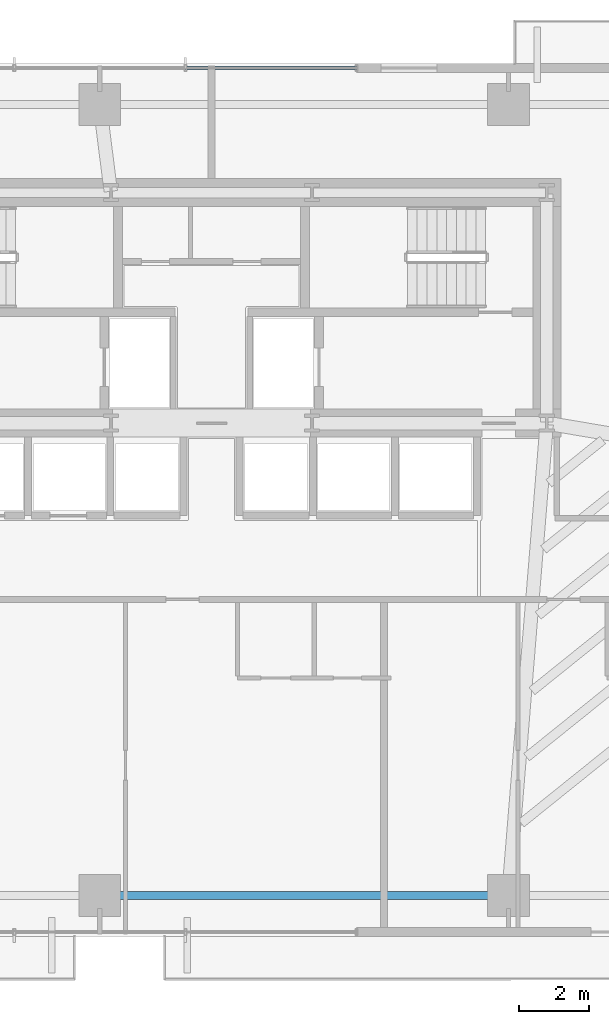
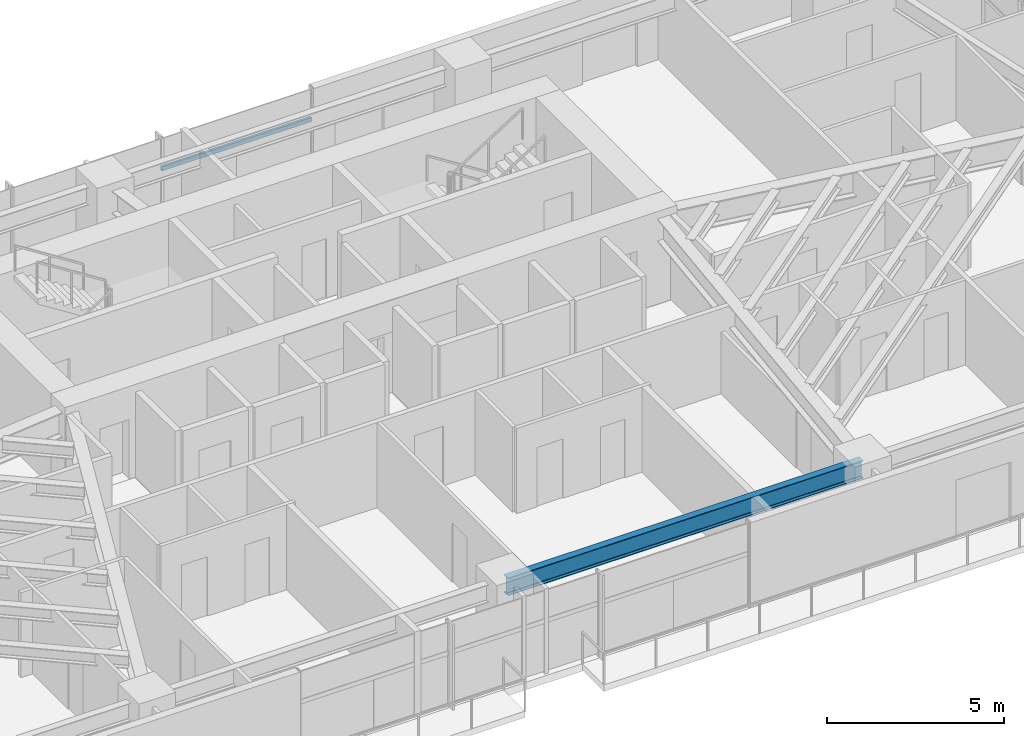
# One storey, part 11 of 25: 1 beam, 1 member, 1 element without a shape of its own.
"""IFC4 building model written with IfcOpenShell, lengths in metres."""

from ifc_helpers import new_model, si_unit, direction, frame, origin, origin_2d, place, context, subcontext, project, spatial, hollow_rectangle, i_section, extrude, source, transform, mapped, material, material_profile, profile_set, type_object, type_shapes, element, aggregate, save


model = new_model("IFC4")

# Units and contexts
model_context = context("Model", 3, precision=1e-05, world=origin(), true_north=direction((0.0, 1.0)))
body_context = subcontext(model_context, "Body", "Model", "MODEL_VIEW")
ifc_project = project(units=[si_unit("LENGTHUNIT", "METRE"), si_unit("AREAUNIT", "SQUARE_METRE"), si_unit("VOLUMEUNIT", "CUBIC_METRE"), si_unit("PLANEANGLEUNIT", "RADIAN"), si_unit("MASSUNIT", "GRAM", prefix="KILO")], contexts=[model_context])

# Site, building, storey
site_placement = place(None, origin())
site = spatial("IfcSite", under=ifc_project, at=site_placement, CompositionType="ELEMENT")
building_placement = place(site_placement, origin())
building = spatial("IfcBuilding", under=site, at=building_placement, Name="Astriad Promenade Condominiums", CompositionType="ELEMENT")
storey_placement = place(building_placement, frame((0.0, 0.0, 58.199951171875)))
storey = spatial("IfcBuildingStorey", under=building, at=storey_placement, Name="L16", CompositionType="ELEMENT", Elevation=58.199951171875)

# Beam
ifc_material_1 = material(Name="Steel ASTM A992 Grade 50", Category="steel")
ifc_material_profile_1 = material_profile(ifc_material_1, i_section(OverallWidth=0.22900390625, OverallDepth=0.612060546875, WebThickness=0.011962890625, FlangeThickness=0.01953125, FilletRadius=0.017822265625, at=origin_2d()), Name="W24X84")
ifc_profile_set_1 = profile_set([ifc_material_profile_1], Name="Steel ASTM A992 Grade 50")
beam_type = type_object("IfcBeamType", Name="STEEL SPANDREL BEAM W24X84", PredefinedType="SPANDREL", material=ifc_profile_set_1)
shared_shape_1 = source(origin(), body_context, "Body", "SweptSolid", [
    extrude(i_section(OverallWidth=0.22900390625, OverallDepth=0.612060546875, WebThickness=0.011962890625, FlangeThickness=0.01953125, FilletRadius=0.017822265625, at=origin_2d()), origin(), (0.0, 0.0, 1.0), 11.619873046875),
])
type_shapes(beam_type, [shared_shape_1])
beam_placement = place(storey_placement, frame((32.840087890625, 3.8798828125, 2.634033203125), z_axis=(1.0, 0.0, 0.0), x_axis=(0.0, 1.0, 0.0)))
element("IfcBeam", 1, at=beam_placement, inside=storey, type_object=beam_type, Name="Perimeter Spandrel Beam SP-S3-L16", PredefinedType="SPANDREL", context=body_context, shape_type="MappedRepresentation", body=[
    mapped(shared_shape_1, transform((0.0, 0.0, 0.0), scale=1.0)),
])

# Curtain wall, member
ifc_material_2 = material(Name="Anodised aluminium Black Dark Glass Unitised", Category="aluminium")
curtain_wall_type = type_object("IfcCurtainWallType", Name="CW-B1-DARK", PredefinedType="USERDEFINED", material=ifc_material_2)
curtain_wall_placement = place(storey_placement, origin())
curtain_wall = element("IfcCurtainWall", 2, at=curtain_wall_placement, inside=storey, type_object=curtain_wall_type, Name="CW-L16-N", ObjectType="UNITISED_CURTAIN_WALL", PredefinedType="USERDEFINED")
ifc_material_3 = material(Name="Anodised aluminium 6063-T6 Black", Category="aluminium")
ifc_material_profile_2 = material_profile(ifc_material_3, hollow_rectangle(XDim=0.074951171875, YDim=0.14990234375, WallThickness=0.004150390625, at=origin_2d()), Name="ALU-TRN-75X150")
ifc_profile_set_2 = profile_set([ifc_material_profile_2], Name="Anodised aluminium 6063-T6 Black")
member_type = type_object("IfcMemberType", Name="TRN-ALU-TRN-75X150", PredefinedType="USERDEFINED", material=ifc_profile_set_2)
shared_shape_2 = source(origin(), body_context, "Body", "SweptSolid", [
    extrude(hollow_rectangle(XDim=0.074951171875, YDim=0.14990234375, WallThickness=0.004150390625, at=origin_2d()), origin(), (0.0, 0.0, 1.0), 4.89990234375),
])
type_shapes(member_type, [shared_shape_2])
member_placement = place(storey_placement, frame((35.25, 27.570068359375, 1.82275390625), z_axis=(1.0, 0.0, 0.0), x_axis=(0.0, 1.0, 0.0)))
member = element("IfcMember", 3, at=member_placement, type_object=member_type, Name="CW-L16-N-TRN-02-0", ObjectType="TRANSOM", PredefinedType="USERDEFINED", context=body_context, shape_type="MappedRepresentation", body=[
    mapped(shared_shape_2, transform((0.0, 0.0, 0.0), scale=1.0)),
])
aggregate(curtain_wall, [member])

save(model, "model.ifc")
